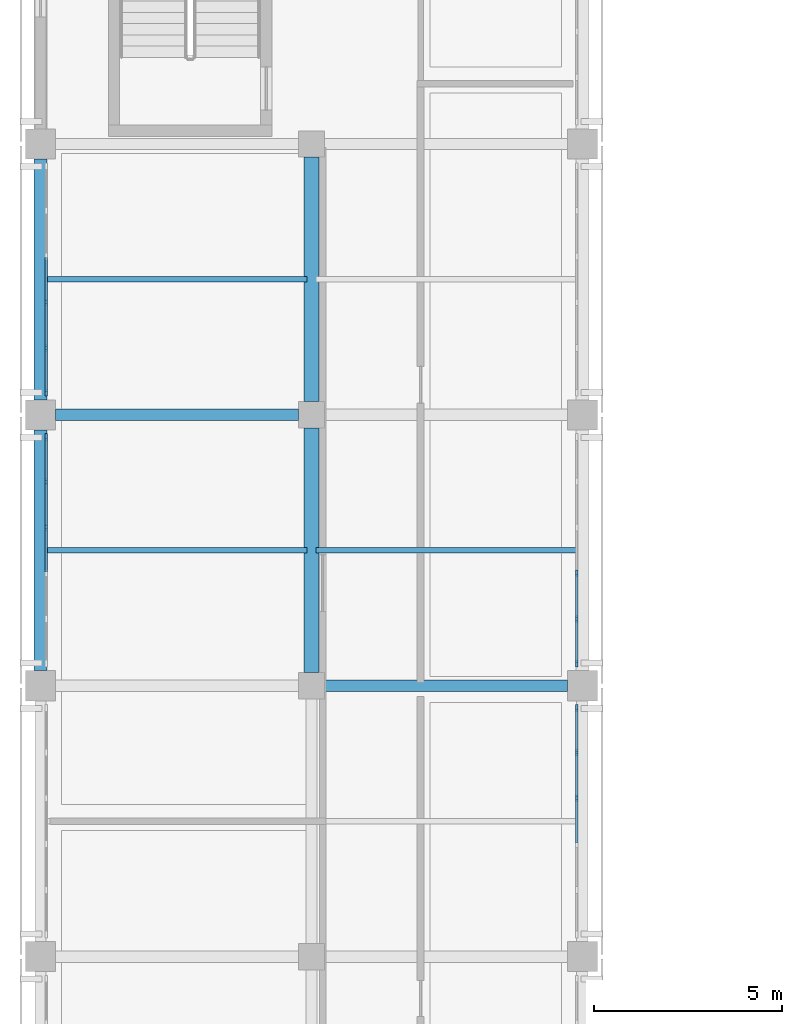
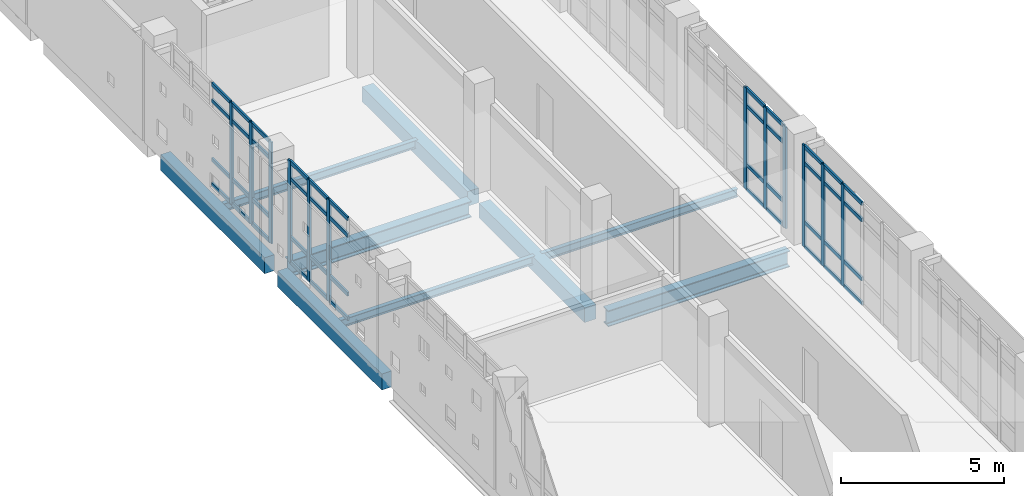
# One storey, part 7 of 33: 56 members, 9 beams, 4 elements without a shape of their own.
"""IFC4 building model written with IfcOpenShell, lengths in metres."""

import ifcopenshell
import ifcopenshell.guid

model = None  # the IFC model being written
_history = None  # IfcOwnerHistory: only IFC2X3 demands one
_inside = {}  # id of a spatial element -> (the spatial element, [elements in it])
_under = {}  # id of a project, library or spatial element -> (it, [spatial elements below it])
_declared = {}  # id of a project -> (the project, [libraries it declares])
_typed = {}  # id of a type object -> (the type object, [elements of that type])
_made_of = {}  # id of a material, layer set ... -> (it, [elements and type objects made of it])


def new_model(schema):
    """Start an empty IFC model of exactly this schema.

    Asked for "IFC4X3", IfcOpenShell would pick the latest addendum, in which some entities
    have other attributes; the version numbers below select the first issue.
    IFC2X3 requires an IfcOwnerHistory on every rooted entity: one is made here for all.
    """
    global model, _history
    if schema == "IFC4X3":
        model = ifcopenshell.file(schema_version=(4, 3, 0, 0))
    else:
        model = ifcopenshell.file(schema=schema)
    _inside.clear()
    _under.clear()
    _declared.clear()
    _typed.clear()
    _made_of.clear()
    _history = None
    if model.schema == "IFC2X3":
        org = make("IfcOrganization", Name="unknown")
        user = make(
            "IfcPersonAndOrganization",
            ThePerson=make("IfcPerson", FamilyName="unknown"),
            TheOrganization=org,
        )
        app = make(
            "IfcApplication",
            ApplicationDeveloper=org,
            Version="unknown",
            ApplicationFullName="unknown",
            ApplicationIdentifier="unknown",
        )
        _history = make(
            "IfcOwnerHistory",
            OwningUser=user,
            OwningApplication=app,
            ChangeAction="ADDED",
            CreationDate=0,
        )
    return model


def make(cls, **values):
    """One entity of the class cls with the attributes given. An attribute that is None is left unset."""
    return model.create_entity(
        cls, **{name: value for name, value in values.items() if value is not None}
    )


def rooted(cls, **values):
    """An entity with a GlobalId (a new one), such as an element, a storey or a relation."""
    return make(cls, GlobalId=ifcopenshell.guid.new(), OwnerHistory=_history, **values)


def si_unit(unit_type, name, prefix=None):
    """IfcSIUnit, for example si_unit("LENGTHUNIT", "METRE", prefix="MILLI")."""
    return make("IfcSIUnit", UnitType=unit_type, Prefix=prefix, Name=name)


def assignment(units):
    """IfcUnitAssignment: the units of a project."""
    return None if units is None else make("IfcUnitAssignment", Units=units)


def point(xyz):
    """IfcCartesianPoint."""
    return None if xyz is None else make("IfcCartesianPoint", Coordinates=xyz)


def direction(xyz):
    """IfcDirection."""
    return None if xyz is None else make("IfcDirection", DirectionRatios=xyz)


def frame(location, z_axis=None, x_axis=None):
    """IfcAxis2Placement3D, a coordinate frame: its origin and axes. An axis left out is left unset."""
    return make(
        "IfcAxis2Placement3D",
        Location=point(location),
        Axis=direction(z_axis),
        RefDirection=direction(x_axis),
    )


def frame_2d(location, x_axis=None):
    """IfcAxis2Placement2D, a coordinate frame in the plane: its origin and x axis."""
    return make(
        "IfcAxis2Placement2D", Location=point(location), RefDirection=direction(x_axis)
    )


def origin():
    """The frame at (0, 0, 0) with its axes left unset."""
    return frame((0.0, 0.0, 0.0))


def origin_2d():
    """The frame at (0, 0) in the plane with its x axis left unset."""
    return frame_2d((0.0, 0.0))


def place(relative_to, where):
    """IfcLocalPlacement: puts the frame where relative to a parent placement (None: the world)."""
    return make(
        "IfcLocalPlacement", PlacementRelTo=relative_to, RelativePlacement=where
    )


def context(
    kind, dimensions, precision=None, world=None, true_north=None, identifier=None
):
    """IfcGeometricRepresentationContext, for example the 3D "Model" context."""
    return make(
        "IfcGeometricRepresentationContext",
        ContextIdentifier=identifier,
        ContextType=kind,
        CoordinateSpaceDimension=dimensions,
        Precision=precision,
        WorldCoordinateSystem=world,
        TrueNorth=true_north,
    )


def subcontext(parent, identifier, kind, view, scale=None):
    """IfcGeometricRepresentationSubContext, for example "Body" below "Model"."""
    return make(
        "IfcGeometricRepresentationSubContext",
        ContextIdentifier=identifier,
        ContextType=kind,
        ParentContext=parent,
        TargetScale=scale,
        TargetView=view,
    )


def project(units=None, contexts=None):
    """IfcProject with its units and contexts."""
    return rooted(
        "IfcProject",
        Name="project",
        RepresentationContexts=contexts,
        UnitsInContext=assignment(units),
    )


def spatial(cls, under=None, at=None, **own):
    """A site, building, storey or space (cls), placed at a placement, below another one or the project."""
    s = rooted(cls, ObjectPlacement=at, **own)
    if under is not None:
        _under.setdefault(under.id(), (under, []))[1].append(s)
    return s


def profile(cls, at=None, kind="AREA", **sizes):
    """A parametric profile (cls). Its sizes go by their IFC names, for example OverallWidth=200.0."""
    return make(cls, ProfileType=kind, Position=at, **sizes)


def rectangle(**sizes):
    """IfcRectangleProfileDef."""
    return profile("IfcRectangleProfileDef", **sizes)


def i_section(**sizes):
    """IfcIShapeProfileDef."""
    return profile("IfcIShapeProfileDef", **sizes)


def extrude(swept, where, along, depth):
    """IfcExtrudedAreaSolid: the profile swept, set in the frame where, extruded along a direction by depth."""
    return make(
        "IfcExtrudedAreaSolid",
        SweptArea=swept,
        Position=where,
        ExtrudedDirection=direction(along),
        Depth=depth,
    )


def shape(context_of_items, identifier, shape_type, items):
    """IfcShapeRepresentation: the items that make up one representation, for example the "Body"."""
    return make(
        "IfcShapeRepresentation",
        ContextOfItems=context_of_items,
        RepresentationIdentifier=identifier,
        RepresentationType=shape_type,
        Items=items,
    )


def material(Name=None, Category=None):
    """IfcMaterial."""
    return make("IfcMaterial", Name=Name, Category=Category)


def layer(
    of_material, thickness, ventilated=None, Name=None, Category=None, Priority=None
):
    """IfcMaterialLayer: one layer of a wall or slab, of a material (None: an air gap)."""
    return make(
        "IfcMaterialLayer",
        Material=of_material,
        LayerThickness=thickness,
        IsVentilated=ventilated,
        Name=Name,
        Category=Category,
        Priority=Priority,
    )


def layer_set(layers, Name=None):
    """IfcMaterialLayerSet."""
    return make("IfcMaterialLayerSet", MaterialLayers=layers, LayerSetName=Name)


def material_profile(
    of_material, cross_section, Name=None, Category=None, Priority=None
):
    """IfcMaterialProfile: a cross section and its material."""
    return make(
        "IfcMaterialProfile",
        Name=Name,
        Material=of_material,
        Profile=cross_section,
        Priority=Priority,
        Category=Category,
    )


def profile_set(profiles, Name=None, composite=None):
    """IfcMaterialProfileSet."""
    return make(
        "IfcMaterialProfileSet",
        Name=Name,
        MaterialProfiles=profiles,
        CompositeProfile=composite,
    )


def made_of(thing, what):
    """Note that an element or type object is made of a material, layer set ...; save() writes the relation."""
    if what is not None:
        _made_of.setdefault(what.id(), (what, []))[1].append(thing)
    return thing


def type_object(cls, material=None, **own):
    """A type object (cls), such as IfcWallType, which elements share."""
    return made_of(rooted(cls, **own), material)


def element(
    cls,
    number,
    at=None,
    inside=None,
    cuts=None,
    type_object=None,
    material=None,
    context=None,
    identifier="Body",
    shape_type=None,
    held_by="IfcProductDefinitionShape",
    body=None,
    shapes=None,
    **own,
):
    """One element of the class cls, such as IfcWall. Its Tag is "e" and its number.

    at: its placement. inside: the storey or other place that contains it. cuts: it is an
    opening in that element (IfcRelVoidsElement). A single representation is given by context,
    identifier, shape_type and body (its items); several are given by shapes. held_by: the class
    of the entity that holds the representations. save() writes the other relations.
    """
    e = rooted(cls, Tag="e%d" % number, ObjectPlacement=at, **own)
    if body is not None:
        shapes = [shape(context, identifier, shape_type, body)]
    if shapes is not None:
        e.Representation = make(held_by, Representations=shapes)
    if inside is not None:
        _inside.setdefault(inside.id(), (inside, []))[1].append(e)
    if cuts is not None:
        rooted(
            "IfcRelVoidsElement", RelatingBuildingElement=cuts, RelatedOpeningElement=e
        )
    if type_object is not None:
        _typed.setdefault(type_object.id(), (type_object, []))[1].append(e)
    return made_of(e, material)


def aggregate(whole, parts):
    """IfcRelAggregates: a whole, such as a stair, and the parts it consists of."""
    return rooted("IfcRelAggregates", RelatingObject=whole, RelatedObjects=parts)


def save(model, path):
    """Write the relations noted so far, then the file.

    IfcRelAggregates (storeys below a building ...), IfcRelContainedInSpatialStructure (elements
    in a storey), IfcRelDefinesByType, IfcRelAssociatesMaterial and IfcRelDeclares: one each for
    every whole, place, type object, material and project.
    """
    for whole, parts in _under.values():
        aggregate(whole, parts)
    for where, things in _inside.values():
        rooted(
            "IfcRelContainedInSpatialStructure",
            RelatedElements=things,
            RelatingStructure=where,
        )
    for kind, things in _typed.values():
        rooted("IfcRelDefinesByType", RelatedObjects=things, RelatingType=kind)
    for what, things in _made_of.values():
        rooted("IfcRelAssociatesMaterial", RelatedObjects=things, RelatingMaterial=what)
    for by, libraries in _declared.values():
        rooted("IfcRelDeclares", RelatingContext=by, RelatedDefinitions=libraries)
    model.write(path)


model = new_model("IFC4")

# Units and contexts
model_context = context("Model", 3, precision=1e-05, world=origin(), true_north=direction((0.0, 1.0)))
body_context = subcontext(model_context, "Body", "Model", "MODEL_VIEW")
ifc_project = project(units=[si_unit("LENGTHUNIT", "METRE"), si_unit("AREAUNIT", "SQUARE_METRE"), si_unit("VOLUMEUNIT", "CUBIC_METRE"), si_unit("PLANEANGLEUNIT", "RADIAN"), si_unit("MASSUNIT", "GRAM", prefix="KILO")], contexts=[model_context])

# Site, building, storey
site_placement = place(None, origin())
site = spatial("IfcSite", under=ifc_project, at=site_placement, CompositionType="ELEMENT")
building_placement = place(site_placement, origin())
building = spatial("IfcBuilding", under=site, at=building_placement, Name="Valkovuoma Quantum and Materials Research Institute", CompositionType="ELEMENT")
storey_placement = place(building_placement, frame((0.0, 0.0, 21.43994140625)))
storey = spatial("IfcBuildingStorey", under=building, at=storey_placement, Name="L05", CompositionType="ELEMENT", Elevation=21.43994140625)

# Beams
ifc_material_1 = material(Name="Steel S355J2", Category="steel")
ifc_material_profile_1 = material_profile(ifc_material_1, i_section(OverallWidth=0.300048828125, OverallDepth=0.60009765625, WebThickness=0.015380859375, FlangeThickness=0.030029296875, FilletRadius=0.027099609375, at=origin_2d()), Name="Steel S355J2")
ifc_profile_set_1 = profile_set([ifc_material_profile_1], Name="Steel S355J2")
beam_type_1 = type_object("IfcBeamType", Name="Beam-B-HEB600", PredefinedType="BEAM", material=ifc_profile_set_1)
beam_1_placement = place(storey_placement, frame((7.550048828125, 57.60009765625, -0.64990234375), z_axis=(1.0, 0.0, 0.0), x_axis=(0.0, 1.0, 0.0)))
element("IfcBeam", 1, at=beam_1_placement, inside=storey, type_object=beam_type_1, Name="L05 beam X-2130", PredefinedType="BEAM", context=body_context, shape_type="SweptSolid", body=[
    extrude(i_section(OverallWidth=0.300048828125, OverallDepth=0.60009765625, WebThickness=0.015380859375, FlangeThickness=0.030029296875, FilletRadius=0.027099609375, at=origin_2d()), origin(), (0.0, 0.0, 1.0), 6.449951171875),
])
beam_2_placement = place(storey_placement, frame((0.39990234375, 64.800048828125, -0.64990234375), z_axis=(1.0, 0.0, 0.0), x_axis=(0.0, 1.0, 0.0)))
element("IfcBeam", 2, at=beam_2_placement, inside=storey, type_object=beam_type_1, Name="L05 beam X-2136", PredefinedType="BEAM", context=body_context, shape_type="SweptSolid", body=[
    extrude(i_section(OverallWidth=0.300048828125, OverallDepth=0.60009765625, WebThickness=0.015380859375, FlangeThickness=0.030029296875, FilletRadius=0.027099609375, at=origin_2d()), origin(), (0.0, 0.0, 1.0), 6.4501953125),
])
ifc_material_2 = material(Name="Steel S355J2", Category="steel")
ifc_material_profile_2 = material_profile(ifc_material_2, i_section(OverallWidth=0.14990234375, OverallDepth=0.300048828125, WebThickness=0.007080078125, FlangeThickness=0.0107421875, FilletRadius=0.014892578125, at=origin_2d()), Name="Steel S355J2")
ifc_profile_set_2 = profile_set([ifc_material_profile_2], Name="Steel S355J2")
beam_type_2 = type_object("IfcBeamType", Name="Beam-B-JST300", PredefinedType="JOIST", material=ifc_profile_set_2)
for number, where, z_axis, x_axis, name in (
    (3, (0.1201171875, 61.199951171875, -0.5), (1.0, 0.0, 0.0), (0.0, 1.0, 0.0), "L05 floor joist 2280"),
    (4, (7.320068359375, 61.199951171875, -0.5), (1.0, 0.0, 0.0), (0.0, 1.0, 0.0), "L05 floor joist 2281"),
    (5, (0.1201171875, 68.39990234375, -0.5), (1.0, 0.0, 0.0), (0.0, 1.0, 0.0), "L05 floor joist 2286"),
):
    element("IfcBeam", number, at=place(storey_placement, frame(where, z_axis=z_axis, x_axis=x_axis)), inside=storey, type_object=beam_type_2, Name=name, PredefinedType="JOIST", context=body_context, shape_type="SweptSolid", body=[
        extrude(i_section(OverallWidth=0.14990234375, OverallDepth=0.300048828125, WebThickness=0.007080078125, FlangeThickness=0.0107421875, FilletRadius=0.014892578125, at=origin_2d()), origin(), (0.0, 0.0, 1.0), 6.9599609375),
    ])
ifc_material_3 = material(Name="Concrete C40/50", Category="concrete")
ifc_material_profile_3 = material_profile(ifc_material_3, rectangle(XDim=0.39990234375, YDim=0.550048828125, at=origin_2d()), Name="Concrete C40/50")
ifc_profile_set_3 = profile_set([ifc_material_profile_3], Name="Concrete C40/50")
beam_type_3 = type_object("IfcBeamType", Name="Beam-B-RC550", PredefinedType="BEAM", material=ifc_profile_set_3)
for number, where, z_axis, x_axis, name in (
    (6, (7.199951171875, 57.949951171875, -0.625), (0.0, 1.0, 0.0), (-1.0, 0.0, 0.0), "L05 beam Y-2188"),
    (7, (7.199951171875, 65.14990234375, -0.625), (0.0, 1.0, 0.0), (-1.0, 0.0, 0.0), "L05 beam Y-2189"),
):
    element("IfcBeam", number, at=place(storey_placement, frame(where, z_axis=z_axis, x_axis=x_axis)), inside=storey, type_object=beam_type_3, Name=name, PredefinedType="BEAM", context=body_context, shape_type="SweptSolid", body=[
        extrude(rectangle(XDim=0.39990234375, YDim=0.550048828125, at=origin_2d()), origin(), (0.0, 0.0, 1.0), 6.5),
    ])
ifc_material_4 = material(Name="Concrete C40/50", Category="concrete")
ifc_material_profile_4 = material_profile(ifc_material_4, rectangle(XDim=0.35009765625, YDim=0.60009765625, at=origin_2d()), Name="Concrete C40/50")
ifc_profile_set_4 = profile_set([ifc_material_profile_4], Name="Concrete C40/50")
beam_type_4 = type_object("IfcBeamType", Name="Beam-B-SPN600", PredefinedType="SPANDREL", material=ifc_profile_set_4)
beam_3_placement = place(storey_placement, frame((0.0, 58.0, -0.64990234375), z_axis=(0.0, 1.0, 0.0), x_axis=(-1.0, 0.0, 0.0)))
element("IfcBeam", 8, at=beam_3_placement, inside=storey, type_object=beam_type_4, Name="L05 beam Y-2183", PredefinedType="SPANDREL", context=body_context, shape_type="SweptSolid", body=[
    extrude(rectangle(XDim=0.35009765625, YDim=0.60009765625, at=origin_2d()), origin(), (0.0, 0.0, 1.0), 6.39990234375),
])
beam_4_placement = place(storey_placement, frame((0.0, 65.199951171875, -0.64990234375), z_axis=(0.0, 1.0, 0.0), x_axis=(-1.0, 0.0, 0.0)))
element("IfcBeam", 9, at=beam_4_placement, inside=storey, type_object=beam_type_4, Name="L05 beam Y-2184", PredefinedType="SPANDREL", context=body_context, shape_type="SweptSolid", body=[
    extrude(rectangle(XDim=0.35009765625, YDim=0.60009765625, at=origin_2d()), origin(), (0.0, 0.0, 1.0), 6.400146484375),
])

# Curtain wall, members
ifc_material_5 = material(Name="Thermally broken aluminium and triple low-E glazing", Category="aluminium")
ifc_layer = layer(ifc_material_5, 0.219970703125)
ifc_layer_set = layer_set([ifc_layer], Name="Thermally broken aluminium and triple low-E glazing")
curtain_wall_type = type_object("IfcCurtainWallType", Name="CW-CW-01", PredefinedType="NOTDEFINED", material=ifc_layer_set)
curtain_wall_1_placement = place(storey_placement, origin())
curtain_wall_1 = element("IfcCurtainWall", 10, at=curtain_wall_1_placement, inside=storey, type_object=curtain_wall_type, Name="L05 curtain wall 063", PredefinedType="NOTDEFINED")
ifc_material_6 = material(Name="Anodised aluminium 6060-T66", Category="aluminium")
ifc_material_profile_5 = material_profile(ifc_material_6, rectangle(XDim=0.06494140625, YDim=0.179931640625, at=origin_2d()), Name="Anodised aluminium 6060-T66")
ifc_profile_set_5 = profile_set([ifc_material_profile_5], Name="Anodised aluminium 6060-T66")
member_type_1 = type_object("IfcMemberType", Name="CWMull-CWM-01", PredefinedType="MULLION", material=ifc_profile_set_5)
member_1_placement = place(storey_placement, frame((14.25, 54.608642578125, 0.0), z_axis=(0.0, 0.0, 1.0), x_axis=(-1.0, 0.0, 0.0)))
member_1 = element("IfcMember", 11, at=member_1_placement, type_object=member_type_1, Name="CW-01 mullion 4", PredefinedType="MULLION", context=body_context, shape_type="SweptSolid", body=[
    extrude(rectangle(XDim=0.06494140625, YDim=0.179931640625, at=origin_2d()), origin(), (0.0, 0.0, 1.0), 3.81005859375),
])
member_2_placement = place(storey_placement, frame((14.25, 55.82568359375, 0.0), z_axis=(0.0, 0.0, 1.0), x_axis=(-1.0, 0.0, 0.0)))
member_2 = element("IfcMember", 12, at=member_2_placement, type_object=member_type_1, Name="CW-01 mullion 5", PredefinedType="MULLION", context=body_context, shape_type="SweptSolid", body=[
    extrude(rectangle(XDim=0.06494140625, YDim=0.179931640625, at=origin_2d()), origin(), (0.0, 0.0, 1.0), 3.81005859375),
])
member_3_placement = place(storey_placement, frame((14.25, 57.010498046875, 0.0), z_axis=(0.0, 0.0, 1.0), x_axis=(-1.0, 0.0, 0.0)))
member_3 = element("IfcMember", 13, at=member_3_placement, type_object=member_type_1, Name="CW-01 mullion 6", PredefinedType="MULLION", context=body_context, shape_type="SweptSolid", body=[
    extrude(rectangle(XDim=0.06494140625, YDim=0.179931640625, at=origin_2d()), origin(), (0.0, 0.0, 1.0), 3.81005859375),
])

curtain_wall_2_placement = place(storey_placement, origin())
curtain_wall_2 = element("IfcCurtainWall", 14, at=curtain_wall_2_placement, inside=storey, type_object=curtain_wall_type, Name="L05 curtain wall 064", PredefinedType="NOTDEFINED")
member_4_placement = place(storey_placement, frame((0.14990234375, 61.80859375, 0.0), z_axis=(0.0, 0.0, 1.0), x_axis=(-1.0, 0.0, 0.0)))
member_4 = element("IfcMember", 15, at=member_4_placement, type_object=member_type_1, Name="CW-01 mullion 4", PredefinedType="MULLION", context=body_context, shape_type="SweptSolid", body=[
    extrude(rectangle(XDim=0.06494140625, YDim=0.179931640625, at=origin_2d()), origin(), (0.0, 0.0, 1.0), 3.81005859375),
])
member_5_placement = place(storey_placement, frame((0.14990234375, 63.025634765625, 0.0), z_axis=(0.0, 0.0, 1.0), x_axis=(-1.0, 0.0, 0.0)))
member_5 = element("IfcMember", 16, at=member_5_placement, type_object=member_type_1, Name="CW-01 mullion 5", PredefinedType="MULLION", context=body_context, shape_type="SweptSolid", body=[
    extrude(rectangle(XDim=0.06494140625, YDim=0.179931640625, at=origin_2d()), origin(), (0.0, 0.0, 1.0), 3.81005859375),
])
member_6_placement = place(storey_placement, frame((0.14990234375, 64.21044921875, 0.0), z_axis=(0.0, 0.0, 1.0), x_axis=(-1.0, 0.0, 0.0)))
member_6 = element("IfcMember", 17, at=member_6_placement, type_object=member_type_1, Name="CW-01 mullion 6", PredefinedType="MULLION", context=body_context, shape_type="SweptSolid", body=[
    extrude(rectangle(XDim=0.06494140625, YDim=0.179931640625, at=origin_2d()), origin(), (0.0, 0.0, 1.0), 3.81005859375),
])

curtain_wall_3_placement = place(storey_placement, origin())
curtain_wall_3 = element("IfcCurtainWall", 18, at=curtain_wall_3_placement, inside=storey, type_object=curtain_wall_type, Name="L05 curtain wall 065", PredefinedType="NOTDEFINED")
member_7_placement = place(storey_placement, frame((14.25, 58.189697265625, 0.0), z_axis=(0.0, 0.0, 1.0), x_axis=(-1.0, 0.0, 0.0)))
member_7 = element("IfcMember", 19, at=member_7_placement, type_object=member_type_1, Name="CW-01 mullion 1", PredefinedType="MULLION", context=body_context, shape_type="SweptSolid", body=[
    extrude(rectangle(XDim=0.06494140625, YDim=0.179931640625, at=origin_2d()), origin(), (0.0, 0.0, 1.0), 3.81005859375),
])
member_8_placement = place(storey_placement, frame((14.25, 59.374267578125, 0.0), z_axis=(0.0, 0.0, 1.0), x_axis=(-1.0, 0.0, 0.0)))
member_8 = element("IfcMember", 20, at=member_8_placement, type_object=member_type_1, Name="CW-01 mullion 2", PredefinedType="MULLION", context=body_context, shape_type="SweptSolid", body=[
    extrude(rectangle(XDim=0.06494140625, YDim=0.179931640625, at=origin_2d()), origin(), (0.0, 0.0, 1.0), 3.81005859375),
])
member_9_placement = place(storey_placement, frame((14.25, 60.59130859375, 0.0), z_axis=(0.0, 0.0, 1.0), x_axis=(-1.0, 0.0, 0.0)))
member_9 = element("IfcMember", 21, at=member_9_placement, type_object=member_type_1, Name="CW-01 mullion 3", PredefinedType="MULLION", context=body_context, shape_type="SweptSolid", body=[
    extrude(rectangle(XDim=0.06494140625, YDim=0.179931640625, at=origin_2d()), origin(), (0.0, 0.0, 1.0), 3.81005859375),
])

curtain_wall_4_placement = place(storey_placement, origin())
curtain_wall_4 = element("IfcCurtainWall", 22, at=curtain_wall_4_placement, inside=storey, type_object=curtain_wall_type, Name="L05 curtain wall 066", PredefinedType="NOTDEFINED")
member_10_placement = place(storey_placement, frame((0.14990234375, 65.3896484375, 0.0), z_axis=(0.0, 0.0, 1.0), x_axis=(-1.0, 0.0, 0.0)))
member_10 = element("IfcMember", 23, at=member_10_placement, type_object=member_type_1, Name="CW-01 mullion 1", PredefinedType="MULLION", context=body_context, shape_type="SweptSolid", body=[
    extrude(rectangle(XDim=0.06494140625, YDim=0.179931640625, at=origin_2d()), origin(), (0.0, 0.0, 1.0), 3.81005859375),
])
member_11_placement = place(storey_placement, frame((0.14990234375, 66.57421875, 0.0), z_axis=(0.0, 0.0, 1.0), x_axis=(-1.0, 0.0, 0.0)))
member_11 = element("IfcMember", 24, at=member_11_placement, type_object=member_type_1, Name="CW-01 mullion 2", PredefinedType="MULLION", context=body_context, shape_type="SweptSolid", body=[
    extrude(rectangle(XDim=0.06494140625, YDim=0.179931640625, at=origin_2d()), origin(), (0.0, 0.0, 1.0), 3.81005859375),
])
member_12_placement = place(storey_placement, frame((0.14990234375, 67.79150390625, 0.0), z_axis=(0.0, 0.0, 1.0), x_axis=(-1.0, 0.0, 0.0)))
member_12 = element("IfcMember", 25, at=member_12_placement, type_object=member_type_1, Name="CW-01 mullion 3", PredefinedType="MULLION", context=body_context, shape_type="SweptSolid", body=[
    extrude(rectangle(XDim=0.06494140625, YDim=0.179931640625, at=origin_2d()), origin(), (0.0, 0.0, 1.0), 3.81005859375),
])

# Member
ifc_material_7 = material(Name="Anodised aluminium 6060-T66", Category="aluminium")
ifc_material_profile_6 = material_profile(ifc_material_7, rectangle(XDim=0.06494140625, YDim=0.139892578125, at=origin_2d()), Name="Anodised aluminium 6060-T66")
ifc_profile_set_6 = profile_set([ifc_material_profile_6], Name="Anodised aluminium 6060-T66")
member_type_2 = type_object("IfcMemberType", Name="CWTran-CWT-01", PredefinedType="USERDEFINED", material=ifc_profile_set_6)
member_13_placement = place(storey_placement, frame((14.25, 53.423828125, 0.032470703125), z_axis=(0.0, 1.0, 0.0), x_axis=(-1.0, 0.0, 0.0)))
member_13 = element("IfcMember", 26, at=member_13_placement, type_object=member_type_2, Name="CW-01 transom 3.1", ObjectType="TRANSOM", PredefinedType="USERDEFINED", context=body_context, shape_type="SweptSolid", body=[
    extrude(rectangle(XDim=0.06494140625, YDim=0.139892578125, at=origin_2d()), origin(), (0.0, 0.0, 1.0), 1.15234375),
])

member_14_placement = place(storey_placement, frame((14.25, 53.423828125, 0.949951171875), z_axis=(0.0, 1.0, 0.0), x_axis=(-1.0, 0.0, 0.0)))
member_14 = element("IfcMember", 27, at=member_14_placement, type_object=member_type_2, Name="CW-01 transom 3.2", ObjectType="TRANSOM", PredefinedType="USERDEFINED", context=body_context, shape_type="SweptSolid", body=[
    extrude(rectangle(XDim=0.06494140625, YDim=0.139892578125, at=origin_2d()), origin(), (0.0, 0.0, 1.0), 1.15234375),
])

member_15_placement = place(storey_placement, frame((14.25, 53.423828125, 3.16015625), z_axis=(0.0, 1.0, 0.0), x_axis=(-1.0, 0.0, 0.0)))
member_15 = element("IfcMember", 28, at=member_15_placement, type_object=member_type_2, Name="CW-01 transom 3.3", ObjectType="TRANSOM", PredefinedType="USERDEFINED", context=body_context, shape_type="SweptSolid", body=[
    extrude(rectangle(XDim=0.06494140625, YDim=0.139892578125, at=origin_2d()), origin(), (0.0, 0.0, 1.0), 1.15234375),
])

member_16_placement = place(storey_placement, frame((14.25, 53.423828125, 3.777587890625), z_axis=(0.0, 1.0, 0.0), x_axis=(-1.0, 0.0, 0.0)))
member_16 = element("IfcMember", 29, at=member_16_placement, type_object=member_type_2, Name="CW-01 transom 3.4", ObjectType="TRANSOM", PredefinedType="USERDEFINED", context=body_context, shape_type="SweptSolid", body=[
    extrude(rectangle(XDim=0.06494140625, YDim=0.139892578125, at=origin_2d()), origin(), (0.0, 0.0, 1.0), 1.15234375),
])

member_17_placement = place(storey_placement, frame((14.25, 54.64111328125, 0.032470703125), z_axis=(0.0, 1.0, 0.0), x_axis=(-1.0, 0.0, 0.0)))
member_17 = element("IfcMember", 30, at=member_17_placement, type_object=member_type_2, Name="CW-01 transom 4.1", ObjectType="TRANSOM", PredefinedType="USERDEFINED", context=body_context, shape_type="SweptSolid", body=[
    extrude(rectangle(XDim=0.06494140625, YDim=0.139892578125, at=origin_2d()), origin(), (0.0, 0.0, 1.0), 1.152099609375),
])

member_18_placement = place(storey_placement, frame((14.25, 54.64111328125, 0.949951171875), z_axis=(0.0, 1.0, 0.0), x_axis=(-1.0, 0.0, 0.0)))
member_18 = element("IfcMember", 31, at=member_18_placement, type_object=member_type_2, Name="CW-01 transom 4.2", ObjectType="TRANSOM", PredefinedType="USERDEFINED", context=body_context, shape_type="SweptSolid", body=[
    extrude(rectangle(XDim=0.06494140625, YDim=0.139892578125, at=origin_2d()), origin(), (0.0, 0.0, 1.0), 1.152099609375),
])

member_19_placement = place(storey_placement, frame((14.25, 54.64111328125, 3.16015625), z_axis=(0.0, 1.0, 0.0), x_axis=(-1.0, 0.0, 0.0)))
member_19 = element("IfcMember", 32, at=member_19_placement, type_object=member_type_2, Name="CW-01 transom 4.3", ObjectType="TRANSOM", PredefinedType="USERDEFINED", context=body_context, shape_type="SweptSolid", body=[
    extrude(rectangle(XDim=0.06494140625, YDim=0.139892578125, at=origin_2d()), origin(), (0.0, 0.0, 1.0), 1.152099609375),
])

member_20_placement = place(storey_placement, frame((14.25, 54.64111328125, 3.777587890625), z_axis=(0.0, 1.0, 0.0), x_axis=(-1.0, 0.0, 0.0)))
member_20 = element("IfcMember", 33, at=member_20_placement, type_object=member_type_2, Name="CW-01 transom 4.4", ObjectType="TRANSOM", PredefinedType="USERDEFINED", context=body_context, shape_type="SweptSolid", body=[
    extrude(rectangle(XDim=0.06494140625, YDim=0.139892578125, at=origin_2d()), origin(), (0.0, 0.0, 1.0), 1.152099609375),
])

member_21_placement = place(storey_placement, frame((14.25, 55.858154296875, 0.032470703125), z_axis=(0.0, 1.0, 0.0), x_axis=(-1.0, 0.0, 0.0)))
member_21 = element("IfcMember", 34, at=member_21_placement, type_object=member_type_2, Name="CW-01 transom 5.1", ObjectType="TRANSOM", PredefinedType="USERDEFINED", context=body_context, shape_type="SweptSolid", body=[
    extrude(rectangle(XDim=0.06494140625, YDim=0.139892578125, at=origin_2d()), origin(), (0.0, 0.0, 1.0), 1.11962890625),
])

member_22_placement = place(storey_placement, frame((14.25, 55.858154296875, 0.949951171875), z_axis=(0.0, 1.0, 0.0), x_axis=(-1.0, 0.0, 0.0)))
member_22 = element("IfcMember", 35, at=member_22_placement, type_object=member_type_2, Name="CW-01 transom 5.2", ObjectType="TRANSOM", PredefinedType="USERDEFINED", context=body_context, shape_type="SweptSolid", body=[
    extrude(rectangle(XDim=0.06494140625, YDim=0.139892578125, at=origin_2d()), origin(), (0.0, 0.0, 1.0), 1.11962890625),
])

member_23_placement = place(storey_placement, frame((14.25, 55.858154296875, 3.16015625), z_axis=(0.0, 1.0, 0.0), x_axis=(-1.0, 0.0, 0.0)))
member_23 = element("IfcMember", 36, at=member_23_placement, type_object=member_type_2, Name="CW-01 transom 5.3", ObjectType="TRANSOM", PredefinedType="USERDEFINED", context=body_context, shape_type="SweptSolid", body=[
    extrude(rectangle(XDim=0.06494140625, YDim=0.139892578125, at=origin_2d()), origin(), (0.0, 0.0, 1.0), 1.11962890625),
])

member_24_placement = place(storey_placement, frame((14.25, 55.858154296875, 3.777587890625), z_axis=(0.0, 1.0, 0.0), x_axis=(-1.0, 0.0, 0.0)))
member_24 = element("IfcMember", 37, at=member_24_placement, type_object=member_type_2, Name="CW-01 transom 5.4", ObjectType="TRANSOM", PredefinedType="USERDEFINED", context=body_context, shape_type="SweptSolid", body=[
    extrude(rectangle(XDim=0.06494140625, YDim=0.139892578125, at=origin_2d()), origin(), (0.0, 0.0, 1.0), 1.11962890625),
])

aggregate(curtain_wall_1, [member_1, member_2, member_3, member_13, member_14, member_15, member_16, member_17, member_18, member_19, member_20, member_21, member_22, member_23, member_24])

member_25_placement = place(storey_placement, frame((0.14990234375, 60.6240234375, 0.032470703125), z_axis=(0.0, 1.0, 0.0), x_axis=(-1.0, 0.0, 0.0)))
member_25 = element("IfcMember", 38, at=member_25_placement, type_object=member_type_2, Name="CW-01 transom 3.1", ObjectType="TRANSOM", PredefinedType="USERDEFINED", context=body_context, shape_type="SweptSolid", body=[
    extrude(rectangle(XDim=0.06494140625, YDim=0.139892578125, at=origin_2d()), origin(), (0.0, 0.0, 1.0), 1.152099609375),
])

member_26_placement = place(storey_placement, frame((0.14990234375, 60.6240234375, 0.949951171875), z_axis=(0.0, 1.0, 0.0), x_axis=(-1.0, 0.0, 0.0)))
member_26 = element("IfcMember", 39, at=member_26_placement, type_object=member_type_2, Name="CW-01 transom 3.2", ObjectType="TRANSOM", PredefinedType="USERDEFINED", context=body_context, shape_type="SweptSolid", body=[
    extrude(rectangle(XDim=0.06494140625, YDim=0.139892578125, at=origin_2d()), origin(), (0.0, 0.0, 1.0), 1.152099609375),
])

member_27_placement = place(storey_placement, frame((0.14990234375, 60.6240234375, 3.16015625), z_axis=(0.0, 1.0, 0.0), x_axis=(-1.0, 0.0, 0.0)))
member_27 = element("IfcMember", 40, at=member_27_placement, type_object=member_type_2, Name="CW-01 transom 3.3", ObjectType="TRANSOM", PredefinedType="USERDEFINED", context=body_context, shape_type="SweptSolid", body=[
    extrude(rectangle(XDim=0.06494140625, YDim=0.139892578125, at=origin_2d()), origin(), (0.0, 0.0, 1.0), 1.152099609375),
])

member_28_placement = place(storey_placement, frame((0.14990234375, 60.6240234375, 3.777587890625), z_axis=(0.0, 1.0, 0.0), x_axis=(-1.0, 0.0, 0.0)))
member_28 = element("IfcMember", 41, at=member_28_placement, type_object=member_type_2, Name="CW-01 transom 3.4", ObjectType="TRANSOM", PredefinedType="USERDEFINED", context=body_context, shape_type="SweptSolid", body=[
    extrude(rectangle(XDim=0.06494140625, YDim=0.139892578125, at=origin_2d()), origin(), (0.0, 0.0, 1.0), 1.152099609375),
])

member_29_placement = place(storey_placement, frame((0.14990234375, 61.841064453125, 0.032470703125), z_axis=(0.0, 1.0, 0.0), x_axis=(-1.0, 0.0, 0.0)))
member_29 = element("IfcMember", 42, at=member_29_placement, type_object=member_type_2, Name="CW-01 transom 4.1", ObjectType="TRANSOM", PredefinedType="USERDEFINED", context=body_context, shape_type="SweptSolid", body=[
    extrude(rectangle(XDim=0.06494140625, YDim=0.139892578125, at=origin_2d()), origin(), (0.0, 0.0, 1.0), 1.152099609375),
])

member_30_placement = place(storey_placement, frame((0.14990234375, 61.841064453125, 0.949951171875), z_axis=(0.0, 1.0, 0.0), x_axis=(-1.0, 0.0, 0.0)))
member_30 = element("IfcMember", 43, at=member_30_placement, type_object=member_type_2, Name="CW-01 transom 4.2", ObjectType="TRANSOM", PredefinedType="USERDEFINED", context=body_context, shape_type="SweptSolid", body=[
    extrude(rectangle(XDim=0.06494140625, YDim=0.139892578125, at=origin_2d()), origin(), (0.0, 0.0, 1.0), 1.152099609375),
])

member_31_placement = place(storey_placement, frame((0.14990234375, 61.841064453125, 3.16015625), z_axis=(0.0, 1.0, 0.0), x_axis=(-1.0, 0.0, 0.0)))
member_31 = element("IfcMember", 44, at=member_31_placement, type_object=member_type_2, Name="CW-01 transom 4.3", ObjectType="TRANSOM", PredefinedType="USERDEFINED", context=body_context, shape_type="SweptSolid", body=[
    extrude(rectangle(XDim=0.06494140625, YDim=0.139892578125, at=origin_2d()), origin(), (0.0, 0.0, 1.0), 1.152099609375),
])

member_32_placement = place(storey_placement, frame((0.14990234375, 61.841064453125, 3.777587890625), z_axis=(0.0, 1.0, 0.0), x_axis=(-1.0, 0.0, 0.0)))
member_32 = element("IfcMember", 45, at=member_32_placement, type_object=member_type_2, Name="CW-01 transom 4.4", ObjectType="TRANSOM", PredefinedType="USERDEFINED", context=body_context, shape_type="SweptSolid", body=[
    extrude(rectangle(XDim=0.06494140625, YDim=0.139892578125, at=origin_2d()), origin(), (0.0, 0.0, 1.0), 1.152099609375),
])

member_33_placement = place(storey_placement, frame((0.14990234375, 63.058349609375, 0.032470703125), z_axis=(0.0, 1.0, 0.0), x_axis=(-1.0, 0.0, 0.0)))
member_33 = element("IfcMember", 46, at=member_33_placement, type_object=member_type_2, Name="CW-01 transom 5.1", ObjectType="TRANSOM", PredefinedType="USERDEFINED", context=body_context, shape_type="SweptSolid", body=[
    extrude(rectangle(XDim=0.06494140625, YDim=0.139892578125, at=origin_2d()), origin(), (0.0, 0.0, 1.0), 1.11962890625),
])

member_34_placement = place(storey_placement, frame((0.14990234375, 63.058349609375, 0.949951171875), z_axis=(0.0, 1.0, 0.0), x_axis=(-1.0, 0.0, 0.0)))
member_34 = element("IfcMember", 47, at=member_34_placement, type_object=member_type_2, Name="CW-01 transom 5.2", ObjectType="TRANSOM", PredefinedType="USERDEFINED", context=body_context, shape_type="SweptSolid", body=[
    extrude(rectangle(XDim=0.06494140625, YDim=0.139892578125, at=origin_2d()), origin(), (0.0, 0.0, 1.0), 1.11962890625),
])

member_35_placement = place(storey_placement, frame((0.14990234375, 63.058349609375, 3.16015625), z_axis=(0.0, 1.0, 0.0), x_axis=(-1.0, 0.0, 0.0)))
member_35 = element("IfcMember", 48, at=member_35_placement, type_object=member_type_2, Name="CW-01 transom 5.3", ObjectType="TRANSOM", PredefinedType="USERDEFINED", context=body_context, shape_type="SweptSolid", body=[
    extrude(rectangle(XDim=0.06494140625, YDim=0.139892578125, at=origin_2d()), origin(), (0.0, 0.0, 1.0), 1.11962890625),
])

member_36_placement = place(storey_placement, frame((0.14990234375, 63.058349609375, 3.777587890625), z_axis=(0.0, 1.0, 0.0), x_axis=(-1.0, 0.0, 0.0)))
member_36 = element("IfcMember", 49, at=member_36_placement, type_object=member_type_2, Name="CW-01 transom 5.4", ObjectType="TRANSOM", PredefinedType="USERDEFINED", context=body_context, shape_type="SweptSolid", body=[
    extrude(rectangle(XDim=0.06494140625, YDim=0.139892578125, at=origin_2d()), origin(), (0.0, 0.0, 1.0), 1.11962890625),
])

aggregate(curtain_wall_2, [member_4, member_5, member_6, member_25, member_26, member_27, member_28, member_29, member_30, member_31, member_32, member_33, member_34, member_35, member_36])

member_37_placement = place(storey_placement, frame((14.25, 58.22216796875, 0.032470703125), z_axis=(0.0, 1.0, 0.0), x_axis=(-1.0, 0.0, 0.0)))
member_37 = element("IfcMember", 50, at=member_37_placement, type_object=member_type_2, Name="CW-01 transom 1.1", ObjectType="TRANSOM", PredefinedType="USERDEFINED", context=body_context, shape_type="SweptSolid", body=[
    extrude(rectangle(XDim=0.06494140625, YDim=0.139892578125, at=origin_2d()), origin(), (0.0, 0.0, 1.0), 1.11962890625),
])

member_38_placement = place(storey_placement, frame((14.25, 58.22216796875, 0.949951171875), z_axis=(0.0, 1.0, 0.0), x_axis=(-1.0, 0.0, 0.0)))
member_38 = element("IfcMember", 51, at=member_38_placement, type_object=member_type_2, Name="CW-01 transom 1.2", ObjectType="TRANSOM", PredefinedType="USERDEFINED", context=body_context, shape_type="SweptSolid", body=[
    extrude(rectangle(XDim=0.06494140625, YDim=0.139892578125, at=origin_2d()), origin(), (0.0, 0.0, 1.0), 1.11962890625),
])

member_39_placement = place(storey_placement, frame((14.25, 58.22216796875, 3.16015625), z_axis=(0.0, 1.0, 0.0), x_axis=(-1.0, 0.0, 0.0)))
member_39 = element("IfcMember", 52, at=member_39_placement, type_object=member_type_2, Name="CW-01 transom 1.3", ObjectType="TRANSOM", PredefinedType="USERDEFINED", context=body_context, shape_type="SweptSolid", body=[
    extrude(rectangle(XDim=0.06494140625, YDim=0.139892578125, at=origin_2d()), origin(), (0.0, 0.0, 1.0), 1.11962890625),
])

member_40_placement = place(storey_placement, frame((14.25, 58.22216796875, 3.777587890625), z_axis=(0.0, 1.0, 0.0), x_axis=(-1.0, 0.0, 0.0)))
member_40 = element("IfcMember", 53, at=member_40_placement, type_object=member_type_2, Name="CW-01 transom 1.4", ObjectType="TRANSOM", PredefinedType="USERDEFINED", context=body_context, shape_type="SweptSolid", body=[
    extrude(rectangle(XDim=0.06494140625, YDim=0.139892578125, at=origin_2d()), origin(), (0.0, 0.0, 1.0), 1.11962890625),
])

member_41_placement = place(storey_placement, frame((14.25, 59.40673828125, 0.032470703125), z_axis=(0.0, 1.0, 0.0), x_axis=(-1.0, 0.0, 0.0)))
member_41 = element("IfcMember", 54, at=member_41_placement, type_object=member_type_2, Name="CW-01 transom 2.1", ObjectType="TRANSOM", PredefinedType="USERDEFINED", context=body_context, shape_type="SweptSolid", body=[
    extrude(rectangle(XDim=0.06494140625, YDim=0.139892578125, at=origin_2d()), origin(), (0.0, 0.0, 1.0), 1.152099609375),
])

member_42_placement = place(storey_placement, frame((14.25, 59.40673828125, 0.949951171875), z_axis=(0.0, 1.0, 0.0), x_axis=(-1.0, 0.0, 0.0)))
member_42 = element("IfcMember", 55, at=member_42_placement, type_object=member_type_2, Name="CW-01 transom 2.2", ObjectType="TRANSOM", PredefinedType="USERDEFINED", context=body_context, shape_type="SweptSolid", body=[
    extrude(rectangle(XDim=0.06494140625, YDim=0.139892578125, at=origin_2d()), origin(), (0.0, 0.0, 1.0), 1.152099609375),
])

member_43_placement = place(storey_placement, frame((14.25, 59.40673828125, 3.16015625), z_axis=(0.0, 1.0, 0.0), x_axis=(-1.0, 0.0, 0.0)))
member_43 = element("IfcMember", 56, at=member_43_placement, type_object=member_type_2, Name="CW-01 transom 2.3", ObjectType="TRANSOM", PredefinedType="USERDEFINED", context=body_context, shape_type="SweptSolid", body=[
    extrude(rectangle(XDim=0.06494140625, YDim=0.139892578125, at=origin_2d()), origin(), (0.0, 0.0, 1.0), 1.152099609375),
])

member_44_placement = place(storey_placement, frame((14.25, 59.40673828125, 3.777587890625), z_axis=(0.0, 1.0, 0.0), x_axis=(-1.0, 0.0, 0.0)))
member_44 = element("IfcMember", 57, at=member_44_placement, type_object=member_type_2, Name="CW-01 transom 2.4", ObjectType="TRANSOM", PredefinedType="USERDEFINED", context=body_context, shape_type="SweptSolid", body=[
    extrude(rectangle(XDim=0.06494140625, YDim=0.139892578125, at=origin_2d()), origin(), (0.0, 0.0, 1.0), 1.152099609375),
])

aggregate(curtain_wall_3, [member_7, member_8, member_9, member_37, member_38, member_39, member_40, member_41, member_42, member_43, member_44])

member_45_placement = place(storey_placement, frame((0.14990234375, 65.422119140625, 0.032470703125), z_axis=(0.0, 1.0, 0.0), x_axis=(-1.0, 0.0, 0.0)))
member_45 = element("IfcMember", 58, at=member_45_placement, type_object=member_type_2, Name="CW-01 transom 1.1", ObjectType="TRANSOM", PredefinedType="USERDEFINED", context=body_context, shape_type="SweptSolid", body=[
    extrude(rectangle(XDim=0.06494140625, YDim=0.139892578125, at=origin_2d()), origin(), (0.0, 0.0, 1.0), 1.11962890625),
])

member_46_placement = place(storey_placement, frame((0.14990234375, 65.422119140625, 0.949951171875), z_axis=(0.0, 1.0, 0.0), x_axis=(-1.0, 0.0, 0.0)))
member_46 = element("IfcMember", 59, at=member_46_placement, type_object=member_type_2, Name="CW-01 transom 1.2", ObjectType="TRANSOM", PredefinedType="USERDEFINED", context=body_context, shape_type="SweptSolid", body=[
    extrude(rectangle(XDim=0.06494140625, YDim=0.139892578125, at=origin_2d()), origin(), (0.0, 0.0, 1.0), 1.11962890625),
])

member_47_placement = place(storey_placement, frame((0.14990234375, 65.422119140625, 3.16015625), z_axis=(0.0, 1.0, 0.0), x_axis=(-1.0, 0.0, 0.0)))
member_47 = element("IfcMember", 60, at=member_47_placement, type_object=member_type_2, Name="CW-01 transom 1.3", ObjectType="TRANSOM", PredefinedType="USERDEFINED", context=body_context, shape_type="SweptSolid", body=[
    extrude(rectangle(XDim=0.06494140625, YDim=0.139892578125, at=origin_2d()), origin(), (0.0, 0.0, 1.0), 1.11962890625),
])

member_48_placement = place(storey_placement, frame((0.14990234375, 65.422119140625, 3.777587890625), z_axis=(0.0, 1.0, 0.0), x_axis=(-1.0, 0.0, 0.0)))
member_48 = element("IfcMember", 61, at=member_48_placement, type_object=member_type_2, Name="CW-01 transom 1.4", ObjectType="TRANSOM", PredefinedType="USERDEFINED", context=body_context, shape_type="SweptSolid", body=[
    extrude(rectangle(XDim=0.06494140625, YDim=0.139892578125, at=origin_2d()), origin(), (0.0, 0.0, 1.0), 1.11962890625),
])

member_49_placement = place(storey_placement, frame((0.14990234375, 66.606689453125, 0.032470703125), z_axis=(0.0, 1.0, 0.0), x_axis=(-1.0, 0.0, 0.0)))
member_49 = element("IfcMember", 62, at=member_49_placement, type_object=member_type_2, Name="CW-01 transom 2.1", ObjectType="TRANSOM", PredefinedType="USERDEFINED", context=body_context, shape_type="SweptSolid", body=[
    extrude(rectangle(XDim=0.06494140625, YDim=0.139892578125, at=origin_2d()), origin(), (0.0, 0.0, 1.0), 1.15234375),
])

member_50_placement = place(storey_placement, frame((0.14990234375, 66.606689453125, 0.949951171875), z_axis=(0.0, 1.0, 0.0), x_axis=(-1.0, 0.0, 0.0)))
member_50 = element("IfcMember", 63, at=member_50_placement, type_object=member_type_2, Name="CW-01 transom 2.2", ObjectType="TRANSOM", PredefinedType="USERDEFINED", context=body_context, shape_type="SweptSolid", body=[
    extrude(rectangle(XDim=0.06494140625, YDim=0.139892578125, at=origin_2d()), origin(), (0.0, 0.0, 1.0), 1.15234375),
])

member_51_placement = place(storey_placement, frame((0.14990234375, 66.606689453125, 3.16015625), z_axis=(0.0, 1.0, 0.0), x_axis=(-1.0, 0.0, 0.0)))
member_51 = element("IfcMember", 64, at=member_51_placement, type_object=member_type_2, Name="CW-01 transom 2.3", ObjectType="TRANSOM", PredefinedType="USERDEFINED", context=body_context, shape_type="SweptSolid", body=[
    extrude(rectangle(XDim=0.06494140625, YDim=0.139892578125, at=origin_2d()), origin(), (0.0, 0.0, 1.0), 1.15234375),
])

member_52_placement = place(storey_placement, frame((0.14990234375, 66.606689453125, 3.777587890625), z_axis=(0.0, 1.0, 0.0), x_axis=(-1.0, 0.0, 0.0)))
member_52 = element("IfcMember", 65, at=member_52_placement, type_object=member_type_2, Name="CW-01 transom 2.4", ObjectType="TRANSOM", PredefinedType="USERDEFINED", context=body_context, shape_type="SweptSolid", body=[
    extrude(rectangle(XDim=0.06494140625, YDim=0.139892578125, at=origin_2d()), origin(), (0.0, 0.0, 1.0), 1.15234375),
])

member_53_placement = place(storey_placement, frame((0.14990234375, 67.823974609375, 0.032470703125), z_axis=(0.0, 1.0, 0.0), x_axis=(-1.0, 0.0, 0.0)))
member_53 = element("IfcMember", 66, at=member_53_placement, type_object=member_type_2, Name="CW-01 transom 3.1", ObjectType="TRANSOM", PredefinedType="USERDEFINED", context=body_context, shape_type="SweptSolid", body=[
    extrude(rectangle(XDim=0.06494140625, YDim=0.139892578125, at=origin_2d()), origin(), (0.0, 0.0, 1.0), 1.152099609375),
])

member_54_placement = place(storey_placement, frame((0.14990234375, 67.823974609375, 0.949951171875), z_axis=(0.0, 1.0, 0.0), x_axis=(-1.0, 0.0, 0.0)))
member_54 = element("IfcMember", 67, at=member_54_placement, type_object=member_type_2, Name="CW-01 transom 3.2", ObjectType="TRANSOM", PredefinedType="USERDEFINED", context=body_context, shape_type="SweptSolid", body=[
    extrude(rectangle(XDim=0.06494140625, YDim=0.139892578125, at=origin_2d()), origin(), (0.0, 0.0, 1.0), 1.152099609375),
])

member_55_placement = place(storey_placement, frame((0.14990234375, 67.823974609375, 3.16015625), z_axis=(0.0, 1.0, 0.0), x_axis=(-1.0, 0.0, 0.0)))
member_55 = element("IfcMember", 68, at=member_55_placement, type_object=member_type_2, Name="CW-01 transom 3.3", ObjectType="TRANSOM", PredefinedType="USERDEFINED", context=body_context, shape_type="SweptSolid", body=[
    extrude(rectangle(XDim=0.06494140625, YDim=0.139892578125, at=origin_2d()), origin(), (0.0, 0.0, 1.0), 1.152099609375),
])

member_56_placement = place(storey_placement, frame((0.14990234375, 67.823974609375, 3.777587890625), z_axis=(0.0, 1.0, 0.0), x_axis=(-1.0, 0.0, 0.0)))
member_56 = element("IfcMember", 69, at=member_56_placement, type_object=member_type_2, Name="CW-01 transom 3.4", ObjectType="TRANSOM", PredefinedType="USERDEFINED", context=body_context, shape_type="SweptSolid", body=[
    extrude(rectangle(XDim=0.06494140625, YDim=0.139892578125, at=origin_2d()), origin(), (0.0, 0.0, 1.0), 1.152099609375),
])

aggregate(curtain_wall_4, [member_10, member_11, member_12, member_45, member_46, member_47, member_48, member_49, member_50, member_51, member_52, member_53, member_54, member_55, member_56])

save(model, "model.ifc")
